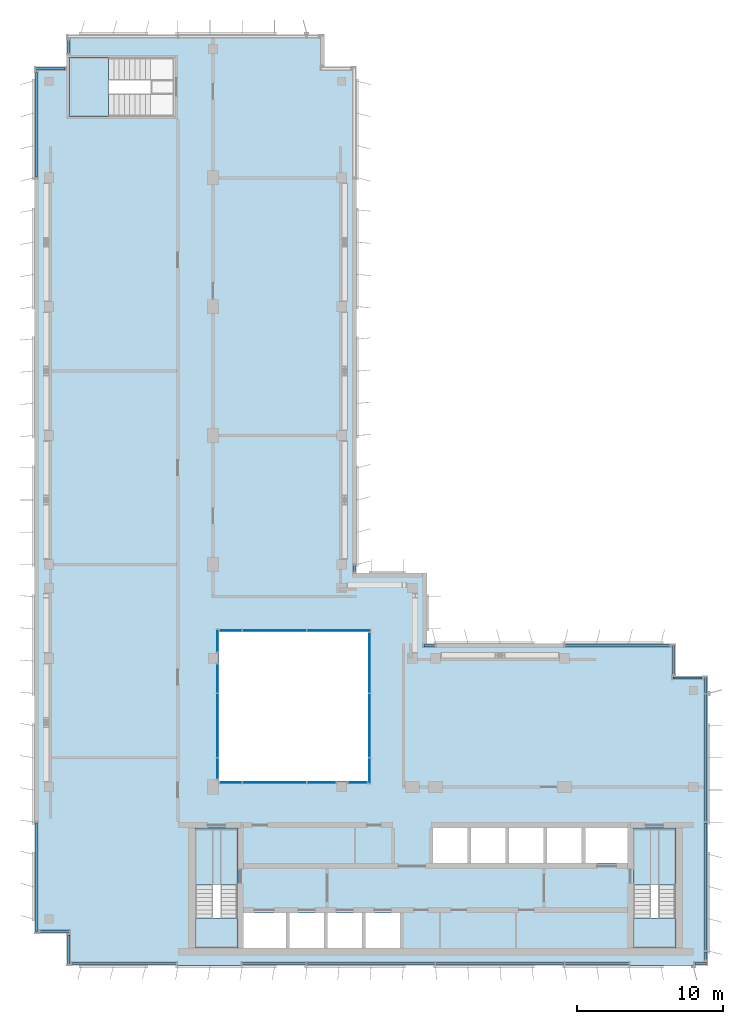
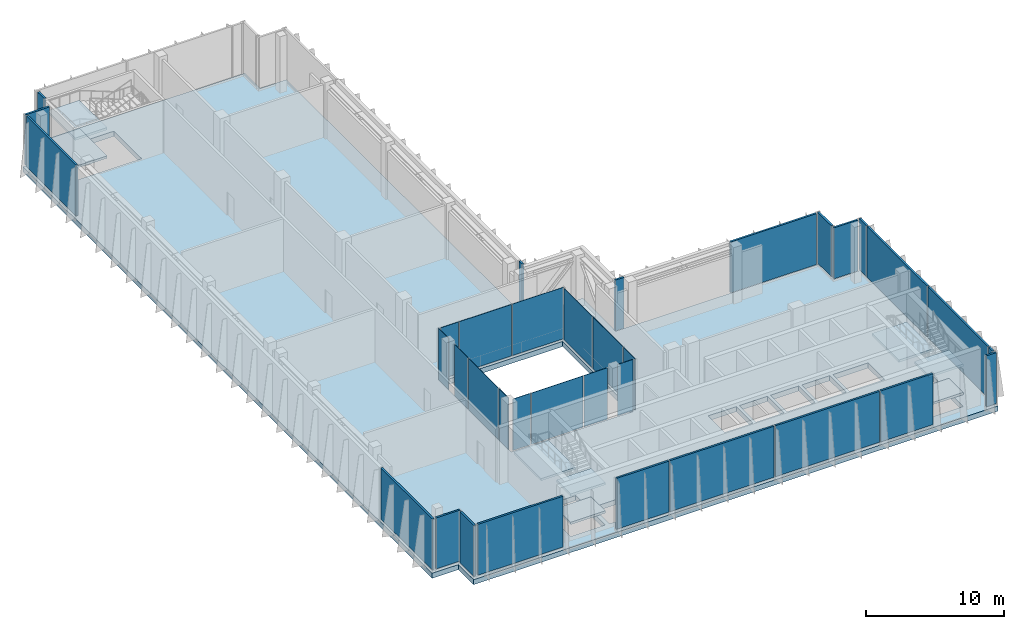
# One storey, part 7 of 14: 35 plates, 9 slabs, 24 elements without a shape of their own.
"""IFC4 building model written with IfcOpenShell, lengths in metres."""

import ifcopenshell
import ifcopenshell.guid

model = None  # the IFC model being written
_history = None  # IfcOwnerHistory: only IFC2X3 demands one
_inside = {}  # id of a spatial element -> (the spatial element, [elements in it])
_under = {}  # id of a project, library or spatial element -> (it, [spatial elements below it])
_declared = {}  # id of a project -> (the project, [libraries it declares])
_typed = {}  # id of a type object -> (the type object, [elements of that type])
_made_of = {}  # id of a material, layer set ... -> (it, [elements and type objects made of it])


def new_model(schema):
    """Start an empty IFC model of exactly this schema.

    Asked for "IFC4X3", IfcOpenShell would pick the latest addendum, in which some entities
    have other attributes; the version numbers below select the first issue.
    IFC2X3 requires an IfcOwnerHistory on every rooted entity: one is made here for all.
    """
    global model, _history
    if schema == "IFC4X3":
        model = ifcopenshell.file(schema_version=(4, 3, 0, 0))
    else:
        model = ifcopenshell.file(schema=schema)
    _inside.clear()
    _under.clear()
    _declared.clear()
    _typed.clear()
    _made_of.clear()
    _history = None
    if model.schema == "IFC2X3":
        org = make("IfcOrganization", Name="unknown")
        user = make(
            "IfcPersonAndOrganization",
            ThePerson=make("IfcPerson", FamilyName="unknown"),
            TheOrganization=org,
        )
        app = make(
            "IfcApplication",
            ApplicationDeveloper=org,
            Version="unknown",
            ApplicationFullName="unknown",
            ApplicationIdentifier="unknown",
        )
        _history = make(
            "IfcOwnerHistory",
            OwningUser=user,
            OwningApplication=app,
            ChangeAction="ADDED",
            CreationDate=0,
        )
    return model


def make(cls, **values):
    """One entity of the class cls with the attributes given. An attribute that is None is left unset."""
    return model.create_entity(
        cls, **{name: value for name, value in values.items() if value is not None}
    )


def rooted(cls, **values):
    """An entity with a GlobalId (a new one), such as an element, a storey or a relation."""
    return make(cls, GlobalId=ifcopenshell.guid.new(), OwnerHistory=_history, **values)


def si_unit(unit_type, name, prefix=None):
    """IfcSIUnit, for example si_unit("LENGTHUNIT", "METRE", prefix="MILLI")."""
    return make("IfcSIUnit", UnitType=unit_type, Prefix=prefix, Name=name)


def assignment(units):
    """IfcUnitAssignment: the units of a project."""
    return None if units is None else make("IfcUnitAssignment", Units=units)


def point(xyz):
    """IfcCartesianPoint."""
    return None if xyz is None else make("IfcCartesianPoint", Coordinates=xyz)


def direction(xyz):
    """IfcDirection."""
    return None if xyz is None else make("IfcDirection", DirectionRatios=xyz)


def frame(location, z_axis=None, x_axis=None):
    """IfcAxis2Placement3D, a coordinate frame: its origin and axes. An axis left out is left unset."""
    return make(
        "IfcAxis2Placement3D",
        Location=point(location),
        Axis=direction(z_axis),
        RefDirection=direction(x_axis),
    )


def frame_2d(location, x_axis=None):
    """IfcAxis2Placement2D, a coordinate frame in the plane: its origin and x axis."""
    return make(
        "IfcAxis2Placement2D", Location=point(location), RefDirection=direction(x_axis)
    )


def origin():
    """The frame at (0, 0, 0) with its axes left unset."""
    return frame((0.0, 0.0, 0.0))


def origin_2d():
    """The frame at (0, 0) in the plane with its x axis left unset."""
    return frame_2d((0.0, 0.0))


def place(relative_to, where):
    """IfcLocalPlacement: puts the frame where relative to a parent placement (None: the world)."""
    return make(
        "IfcLocalPlacement", PlacementRelTo=relative_to, RelativePlacement=where
    )


def context(
    kind, dimensions, precision=None, world=None, true_north=None, identifier=None
):
    """IfcGeometricRepresentationContext, for example the 3D "Model" context."""
    return make(
        "IfcGeometricRepresentationContext",
        ContextIdentifier=identifier,
        ContextType=kind,
        CoordinateSpaceDimension=dimensions,
        Precision=precision,
        WorldCoordinateSystem=world,
        TrueNorth=true_north,
    )


def subcontext(parent, identifier, kind, view, scale=None):
    """IfcGeometricRepresentationSubContext, for example "Body" below "Model"."""
    return make(
        "IfcGeometricRepresentationSubContext",
        ContextIdentifier=identifier,
        ContextType=kind,
        ParentContext=parent,
        TargetScale=scale,
        TargetView=view,
    )


def project(units=None, contexts=None):
    """IfcProject with its units and contexts."""
    return rooted(
        "IfcProject",
        Name="project",
        RepresentationContexts=contexts,
        UnitsInContext=assignment(units),
    )


def spatial(cls, under=None, at=None, **own):
    """A site, building, storey or space (cls), placed at a placement, below another one or the project."""
    s = rooted(cls, ObjectPlacement=at, **own)
    if under is not None:
        _under.setdefault(under.id(), (under, []))[1].append(s)
    return s


def polyline(points):
    """IfcPolyline through the points."""
    return make("IfcPolyline", Points=[point(p) for p in points])


def profile(cls, at=None, kind="AREA", **sizes):
    """A parametric profile (cls). Its sizes go by their IFC names, for example OverallWidth=200.0."""
    return make(cls, ProfileType=kind, Position=at, **sizes)


def rectangle(**sizes):
    """IfcRectangleProfileDef."""
    return profile("IfcRectangleProfileDef", **sizes)


def outline(outer, holes=None, kind="AREA"):
    """IfcArbitraryClosedProfileDef: a profile drawn as a closed curve; with holes, ...WithVoids."""
    if holes is None:
        return make("IfcArbitraryClosedProfileDef", ProfileType=kind, OuterCurve=outer)
    return make(
        "IfcArbitraryProfileDefWithVoids",
        ProfileType=kind,
        OuterCurve=outer,
        InnerCurves=holes,
    )


def extrude(swept, where, along, depth):
    """IfcExtrudedAreaSolid: the profile swept, set in the frame where, extruded along a direction by depth."""
    return make(
        "IfcExtrudedAreaSolid",
        SweptArea=swept,
        Position=where,
        ExtrudedDirection=direction(along),
        Depth=depth,
    )


def shape(context_of_items, identifier, shape_type, items):
    """IfcShapeRepresentation: the items that make up one representation, for example the "Body"."""
    return make(
        "IfcShapeRepresentation",
        ContextOfItems=context_of_items,
        RepresentationIdentifier=identifier,
        RepresentationType=shape_type,
        Items=items,
    )


def source(mapping_origin, context_of_items, identifier, shape_type, items):
    """IfcRepresentationMap: a shape defined once, which mapped items show again and again."""
    return make(
        "IfcRepresentationMap",
        MappingOrigin=mapping_origin,
        MappedRepresentation=shape(context_of_items, identifier, shape_type, items),
    )


def transform(
    local_origin,
    x_axis=None,
    y_axis=None,
    z_axis=None,
    scale=None,
    scale2=None,
    scale3=None,
    uniform=True,
):
    """IfcCartesianTransformationOperator3D, or its non-uniform kind. x_axis, y_axis, z_axis: its Axis1, 2, 3."""
    if uniform:
        return make(
            "IfcCartesianTransformationOperator3D",
            Axis1=direction(x_axis),
            Axis2=direction(y_axis),
            LocalOrigin=point(local_origin),
            Scale=scale,
            Axis3=direction(z_axis),
        )
    return make(
        "IfcCartesianTransformationOperator3DnonUniform",
        Axis1=direction(x_axis),
        Axis2=direction(y_axis),
        LocalOrigin=point(local_origin),
        Scale=scale,
        Axis3=direction(z_axis),
        Scale2=scale2,
        Scale3=scale3,
    )


def mapped(mapping_source, mapping_target):
    """IfcMappedItem: shows the shape of a source again, moved by a transform."""
    return make(
        "IfcMappedItem", MappingSource=mapping_source, MappingTarget=mapping_target
    )


def material(Name=None, Category=None):
    """IfcMaterial."""
    return make("IfcMaterial", Name=Name, Category=Category)


def layer(
    of_material, thickness, ventilated=None, Name=None, Category=None, Priority=None
):
    """IfcMaterialLayer: one layer of a wall or slab, of a material (None: an air gap)."""
    return make(
        "IfcMaterialLayer",
        Material=of_material,
        LayerThickness=thickness,
        IsVentilated=ventilated,
        Name=Name,
        Category=Category,
        Priority=Priority,
    )


def layer_set(layers, Name=None):
    """IfcMaterialLayerSet."""
    return make("IfcMaterialLayerSet", MaterialLayers=layers, LayerSetName=Name)


def made_of(thing, what):
    """Note that an element or type object is made of a material, layer set ...; save() writes the relation."""
    if what is not None:
        _made_of.setdefault(what.id(), (what, []))[1].append(thing)
    return thing


def type_object(cls, material=None, **own):
    """A type object (cls), such as IfcWallType, which elements share."""
    return made_of(rooted(cls, **own), material)


def element(
    cls,
    number,
    at=None,
    inside=None,
    cuts=None,
    type_object=None,
    material=None,
    context=None,
    identifier="Body",
    shape_type=None,
    held_by="IfcProductDefinitionShape",
    body=None,
    shapes=None,
    **own,
):
    """One element of the class cls, such as IfcWall. Its Tag is "e" and its number.

    at: its placement. inside: the storey or other place that contains it. cuts: it is an
    opening in that element (IfcRelVoidsElement). A single representation is given by context,
    identifier, shape_type and body (its items); several are given by shapes. held_by: the class
    of the entity that holds the representations. save() writes the other relations.
    """
    e = rooted(cls, Tag="e%d" % number, ObjectPlacement=at, **own)
    if body is not None:
        shapes = [shape(context, identifier, shape_type, body)]
    if shapes is not None:
        e.Representation = make(held_by, Representations=shapes)
    if inside is not None:
        _inside.setdefault(inside.id(), (inside, []))[1].append(e)
    if cuts is not None:
        rooted(
            "IfcRelVoidsElement", RelatingBuildingElement=cuts, RelatedOpeningElement=e
        )
    if type_object is not None:
        _typed.setdefault(type_object.id(), (type_object, []))[1].append(e)
    return made_of(e, material)


def aggregate(whole, parts):
    """IfcRelAggregates: a whole, such as a stair, and the parts it consists of."""
    return rooted("IfcRelAggregates", RelatingObject=whole, RelatedObjects=parts)


def save(model, path):
    """Write the relations noted so far, then the file.

    IfcRelAggregates (storeys below a building ...), IfcRelContainedInSpatialStructure (elements
    in a storey), IfcRelDefinesByType, IfcRelAssociatesMaterial and IfcRelDeclares: one each for
    every whole, place, type object, material and project.
    """
    for whole, parts in _under.values():
        aggregate(whole, parts)
    for where, things in _inside.values():
        rooted(
            "IfcRelContainedInSpatialStructure",
            RelatedElements=things,
            RelatingStructure=where,
        )
    for kind, things in _typed.values():
        rooted("IfcRelDefinesByType", RelatedObjects=things, RelatingType=kind)
    for what, things in _made_of.values():
        rooted("IfcRelAssociatesMaterial", RelatedObjects=things, RelatingMaterial=what)
    for by, libraries in _declared.values():
        rooted("IfcRelDeclares", RelatingContext=by, RelatedDefinitions=libraries)
    model.write(path)


model = new_model("IFC4")

# Units and contexts
model_context = context("Model", 3, precision=1e-05, world=origin(), true_north=direction((0.0, 1.0)))
body_context = subcontext(model_context, "Body", "Model", "MODEL_VIEW")
ifc_project = project(units=[si_unit("LENGTHUNIT", "METRE"), si_unit("AREAUNIT", "SQUARE_METRE"), si_unit("VOLUMEUNIT", "CUBIC_METRE"), si_unit("PLANEANGLEUNIT", "RADIAN"), si_unit("MASSUNIT", "GRAM", prefix="KILO")], contexts=[model_context])

# Site, building, storey
site_placement = place(None, origin())
site = spatial("IfcSite", under=ifc_project, at=site_placement, CompositionType="ELEMENT")
building_placement = place(site_placement, origin())
building = spatial("IfcBuilding", under=site, at=building_placement, Name="Kemantara Hotel Tower", CompositionType="ELEMENT")
storey_placement = place(building_placement, frame((0.0, 0.0, 309.199951171875)))
storey = spatial("IfcBuildingStorey", under=building, at=storey_placement, Name="L78", CompositionType="ELEMENT", Elevation=309.199951171875)

# Slab
ifc_material_1 = material(Name="Concrete fc 40 MPa", Category="concrete")
ifc_layer_1 = layer(ifc_material_1, 0.449951171875)
ifc_layer_set_1 = layer_set([ifc_layer_1], Name="Concrete fc 40 MPa")
slab_type_1 = type_object("IfcSlabType", Name="REINFORCED DIAPHRAGM SLAB 450", PredefinedType="FLOOR", material=ifc_layer_set_1)
slab_1_placement = place(storey_placement, frame((0.0, 0.0, -0.449951171875)))
element("IfcSlab", 1, at=slab_1_placement, inside=storey, type_object=slab_type_1, Name="FLOOR SLAB L78", PredefinedType="FLOOR", context=body_context, shape_type="SweptSolid", body=[
    extrude(outline(polyline([(22.0, 26.800048828125), (22.0, 61.39990234375), (19.800048828125, 61.39990234375), (19.800048828125, 63.60009765625), (2.199951171875, 63.60009765625), (2.199951171875, 61.39990234375), (0.0, 61.39990234375), (0.0, 2.199951171875), (2.199951171875, 2.199951171875), (2.199951171875, 0.0), (46.0, 0.0), (46.0, 19.800048828125), (43.800048828125, 19.800048828125), (43.800048828125, 22.0), (26.800048828125, 22.0), (26.800048828125, 26.800048828125), (22.0, 26.800048828125)]), holes=[polyline([(17.175048828125, 3.60009765625), (17.175048828125, 1.199951171875), (14.22509765625, 1.199951171875), (14.22509765625, 3.60009765625), (17.175048828125, 3.60009765625)]), polyline([(19.77490234375, 1.199951171875), (17.425048828125, 1.199951171875), (17.425048828125, 3.60009765625), (19.77490234375, 3.60009765625), (19.77490234375, 1.199951171875)]), polyline([(22.375, 1.199951171875), (20.02490234375, 1.199951171875), (20.02490234375, 3.60009765625), (22.375, 3.60009765625), (22.375, 1.199951171875)]), polyline([(24.97509765625, 3.60009765625), (24.97509765625, 1.199951171875), (22.625, 1.199951171875), (22.625, 3.60009765625), (24.97509765625, 3.60009765625)]), polyline([(11.0, 1.199951171875), (11.0, 5.49951171875), (13.89990234375, 5.49951171875), (13.89990234375, 1.199951171875), (11.0, 1.199951171875)]), polyline([(22.800048828125, 12.60009765625), (12.60009765625, 12.60009765625), (12.60009765625, 22.800048828125), (22.800048828125, 22.800048828125), (22.800048828125, 12.60009765625)]), polyline([(2.39990234375, 58.0), (2.39990234375, 62.0), (7.949462890625, 62.0), (7.949462890625, 58.0), (2.39990234375, 58.0)]), polyline([(40.89990234375, 1.199951171875), (40.89990234375, 5.49951171875), (43.800048828125, 5.49951171875), (43.800048828125, 1.199951171875), (40.89990234375, 1.199951171875)]), polyline([(29.574951171875, 7.0), (27.22509765625, 7.0), (27.22509765625, 9.39990234375), (29.574951171875, 9.39990234375), (29.574951171875, 7.0)]), polyline([(32.175048828125, 7.0), (29.824951171875, 7.0), (29.824951171875, 9.39990234375), (32.175048828125, 9.39990234375), (32.175048828125, 7.0)]), polyline([(34.77490234375, 7.0), (32.425048828125, 7.0), (32.425048828125, 9.39990234375), (34.77490234375, 9.39990234375), (34.77490234375, 7.0)]), polyline([(37.375, 7.0), (35.02490234375, 7.0), (35.02490234375, 9.39990234375), (37.375, 9.39990234375), (37.375, 7.0)]), polyline([(40.574951171875, 7.0), (37.625, 7.0), (37.625, 9.39990234375), (40.574951171875, 9.39990234375), (40.574951171875, 7.0)])]), origin(), (0.0, 0.0, 1.0), 0.449951171875),
])

# Stair, slabs
stair_type_1 = type_object("IfcStairType", Name="Stair 1200 wide 36 risers of 139 x 280 mm", PredefinedType="HALF_TURN_STAIR", material=ifc_material_1)
stair_1_placement = place(storey_placement, origin())
stair_1 = element("IfcStair", 2, at=stair_1_placement, inside=storey, type_object=stair_type_1, Name="L78 Exit stair ST1", PredefinedType="HALF_TURN_STAIR")
ifc_layer_2 = layer(ifc_material_1, 0.199951171875)
ifc_layer_set_2 = layer_set([ifc_layer_2], Name="Concrete fc 40 MPa")
slab_type_2 = type_object("IfcSlabType", Name="Stair landing 200 mm", PredefinedType="LANDING", material=ifc_layer_set_2)
slab_2_placement = place(storey_placement, frame((0.0, 0.0, 1.050048828125)))
slab_2 = element("IfcSlab", 3, at=slab_2_placement, type_object=slab_type_2, Name="ST1 landing 1", PredefinedType="LANDING", context=body_context, shape_type="SweptSolid", body=[
    extrude(outline(polyline([(11.0, 3.260009765625), (11.0, 1.199951171875), (13.89990234375, 1.199951171875), (13.89990234375, 3.260009765625), (11.0, 3.260009765625)])), origin(), (0.0, 0.0, 1.0), 0.199951171875),
])
slab_3_placement = place(storey_placement, frame((0.0, 0.0, 2.300048828125)))
slab_3 = element("IfcSlab", 4, at=slab_3_placement, type_object=slab_type_2, Name="ST1 landing 2", PredefinedType="LANDING", context=body_context, shape_type="SweptSolid", body=[
    extrude(outline(polyline([(11.0, 9.39990234375), (11.0, 5.5), (13.89990234375, 5.5), (13.89990234375, 9.39990234375), (11.0, 9.39990234375)])), origin(), (0.0, 0.0, 1.0), 0.199951171875),
])
slab_4_placement = place(storey_placement, frame((0.0, 0.0, 3.550048828125)))
slab_4 = element("IfcSlab", 5, at=slab_4_placement, type_object=slab_type_2, Name="ST1 landing 3", PredefinedType="LANDING", context=body_context, shape_type="SweptSolid", body=[
    extrude(outline(polyline([(11.0, 3.260009765625), (11.0, 1.199951171875), (13.89990234375, 1.199951171875), (13.89990234375, 3.260009765625), (11.0, 3.260009765625)])), origin(), (0.0, 0.0, 1.0), 0.199951171875),
])
aggregate(stair_1, [slab_2, slab_3, slab_4])

stair_2_placement = place(storey_placement, origin())
stair_2 = element("IfcStair", 6, at=stair_2_placement, inside=storey, type_object=stair_type_1, Name="L78 Exit stair ST2", PredefinedType="HALF_TURN_STAIR")
slab_5_placement = place(storey_placement, frame((0.0, 0.0, 1.050048828125)))
slab_5 = element("IfcSlab", 7, at=slab_5_placement, type_object=slab_type_2, Name="ST2 landing 1", PredefinedType="LANDING", context=body_context, shape_type="SweptSolid", body=[
    extrude(outline(polyline([(40.89990234375, 3.260009765625), (40.89990234375, 1.199951171875), (43.800048828125, 1.199951171875), (43.800048828125, 3.260009765625), (40.89990234375, 3.260009765625)])), origin(), (0.0, 0.0, 1.0), 0.199951171875),
])
slab_6_placement = place(storey_placement, frame((0.0, 0.0, 2.300048828125)))
slab_6 = element("IfcSlab", 8, at=slab_6_placement, type_object=slab_type_2, Name="ST2 landing 2", PredefinedType="LANDING", context=body_context, shape_type="SweptSolid", body=[
    extrude(outline(polyline([(40.89990234375, 9.39990234375), (40.89990234375, 5.5), (43.800048828125, 5.5), (43.800048828125, 9.39990234375), (40.89990234375, 9.39990234375)])), origin(), (0.0, 0.0, 1.0), 0.199951171875),
])
slab_7_placement = place(storey_placement, frame((0.0, 0.0, 3.550048828125)))
slab_7 = element("IfcSlab", 9, at=slab_7_placement, type_object=slab_type_2, Name="ST2 landing 3", PredefinedType="LANDING", context=body_context, shape_type="SweptSolid", body=[
    extrude(outline(polyline([(40.89990234375, 3.260009765625), (40.89990234375, 1.199951171875), (43.800048828125, 1.199951171875), (43.800048828125, 3.260009765625), (40.89990234375, 3.260009765625)])), origin(), (0.0, 0.0, 1.0), 0.199951171875),
])
aggregate(stair_2, [slab_5, slab_6, slab_7])

stair_type_2 = type_object("IfcStairType", Name="Stair 1550 wide 36 risers of 139 x 360 mm", PredefinedType="HALF_TURN_STAIR", material=ifc_material_1)
stair_3_placement = place(storey_placement, origin())
stair_3 = element("IfcStair", 10, at=stair_3_placement, inside=storey, type_object=stair_type_2, Name="L78 Exit stair ST4", PredefinedType="HALF_TURN_STAIR")
slab_8_placement = place(storey_placement, frame((0.0, 0.0, 1.050048828125)))
slab_8 = element("IfcSlab", 11, at=slab_8_placement, type_object=slab_type_2, Name="ST4 landing 1", PredefinedType="LANDING", context=body_context, shape_type="SweptSolid", body=[
    extrude(outline(polyline([(5.070068359375, 62.0), (2.39990234375, 62.0), (2.39990234375, 58.0), (5.070068359375, 58.0), (5.070068359375, 62.0)])), origin(), (0.0, 0.0, 1.0), 0.199951171875),
])
slab_9_placement = place(storey_placement, frame((0.0, 0.0, 3.550048828125)))
slab_9 = element("IfcSlab", 12, at=slab_9_placement, type_object=slab_type_2, Name="ST4 landing 3", PredefinedType="LANDING", context=body_context, shape_type="SweptSolid", body=[
    extrude(outline(polyline([(5.070068359375, 62.0), (2.39990234375, 62.0), (2.39990234375, 58.0), (5.070068359375, 58.0), (5.070068359375, 62.0)])), origin(), (0.0, 0.0, 1.0), 0.199951171875),
])
aggregate(stair_3, [slab_8, slab_9])

# Curtain wall, plate
ifc_material_2 = material(Name="Aluminium 6063-T6 bronze anodised", Category="aluminium")
curtain_wall_type_1 = type_object("IfcCurtainWallType", Name="CROWN LOUVRE SCREEN WALL", PredefinedType="USERDEFINED", material=ifc_material_2)
curtain_wall_1_placement = place(storey_placement, origin())
curtain_wall_1 = element("IfcCurtainWall", 13, at=curtain_wall_1_placement, inside=storey, type_object=curtain_wall_type_1, Name="CW7 L78 CRN-R12-2", ObjectType="CROWN LOUVRE SCREEN WALL", PredefinedType="USERDEFINED")
ifc_material_3 = material(Name="Bronze anodised aluminium louvre blades 3 mm", Category="aluminium")
ifc_layer_3 = layer(ifc_material_3, 0.159912109375)
ifc_layer_set_3 = layer_set([ifc_layer_3], Name="Bronze anodised aluminium louvre blades 3 mm")
plate_type_1 = type_object("IfcPlateType", Name="CROWN LOUVRE SCREEN WALL PANEL", PredefinedType="CURTAIN_PANEL", material=ifc_layer_set_3)
shared_shape_1 = source(origin(), body_context, "Body", "SweptSolid", [
    extrude(rectangle(XDim=0.75, YDim=0.159912109375, at=origin_2d()), origin(), (0.0, 0.0, 1.0), 4.5),
])
plate_1_placement = place(storey_placement, frame((26.97509765625, 21.85009765625, 0.199951171875), z_axis=(0.0, 0.0, 1.0), x_axis=(-1.0, 0.0, 0.0)))
plate_1 = element("IfcPlate", 14, at=plate_1_placement, type_object=plate_type_1, Name="CW7 louvre panel CRN-R12-2.1", PredefinedType="CURTAIN_PANEL", context=body_context, shape_type="MappedRepresentation", body=[
    mapped(shared_shape_1, transform((0.0, 0.0, 0.0))),
])
aggregate(curtain_wall_1, [plate_1])

# Curtain wall, plates
curtain_wall_2_placement = place(storey_placement, origin())
curtain_wall_2 = element("IfcCurtainWall", 15, at=curtain_wall_2_placement, inside=storey, type_object=curtain_wall_type_1, Name="CW7 L78 CRN-R08-2", ObjectType="CROWN LOUVRE SCREEN WALL", PredefinedType="USERDEFINED")
shared_shape_2 = source(origin(), body_context, "Body", "SweptSolid", [
    extrude(rectangle(XDim=8.699951171875, YDim=0.159912109375, at=origin_2d()), origin(), (0.0, 0.0, 1.0), 4.5),
])
plate_2_placement = place(storey_placement, frame((23.0, 0.14990234375, 0.199951171875), z_axis=(0.0, 0.0, 1.0), x_axis=(1.0, 0.0, 0.0)))
plate_2 = element("IfcPlate", 16, at=plate_2_placement, type_object=plate_type_1, Name="CW7 louvre panel CRN-R08-2.2", PredefinedType="CURTAIN_PANEL", context=body_context, shape_type="MappedRepresentation", body=[
    mapped(shared_shape_2, transform((0.0, 0.0, 0.0))),
])
plate_3_placement = place(storey_placement, frame((31.800048828125, 0.14990234375, 0.199951171875), z_axis=(0.0, 0.0, 1.0), x_axis=(1.0, 0.0, 0.0)))
plate_3 = element("IfcPlate", 17, at=plate_3_placement, type_object=plate_type_1, Name="CW7 louvre panel CRN-R08-2.3", PredefinedType="CURTAIN_PANEL", context=body_context, shape_type="MappedRepresentation", body=[
    mapped(shared_shape_2, transform((0.0, 0.0, 0.0))),
])

curtain_wall_3_placement = place(storey_placement, origin())
curtain_wall_3 = element("IfcCurtainWall", 18, at=curtain_wall_3_placement, inside=storey, type_object=curtain_wall_type_1, Name="CW7 L78 CRN-R09-1", ObjectType="CROWN LOUVRE SCREEN WALL", PredefinedType="USERDEFINED")
plate_4_placement = place(storey_placement, frame((45.85009765625, 5.39990234375, 0.199951171875), z_axis=(0.0, 0.0, 1.0), x_axis=(0.0, 1.0, 0.0)))
plate_4 = element("IfcPlate", 19, at=plate_4_placement, type_object=plate_type_1, Name="CW7 louvre panel CRN-R09-1.2", PredefinedType="CURTAIN_PANEL", context=body_context, shape_type="MappedRepresentation", body=[
    mapped(shared_shape_2, transform((0.0, 0.0, 0.0))),
])
plate_5_placement = place(storey_placement, frame((45.85009765625, 14.199951171875, 0.199951171875), z_axis=(0.0, 0.0, 1.0), x_axis=(0.0, 1.0, 0.0)))
plate_5 = element("IfcPlate", 20, at=plate_5_placement, type_object=plate_type_1, Name="CW7 louvre panel CRN-R09-1.3", PredefinedType="CURTAIN_PANEL", context=body_context, shape_type="MappedRepresentation", body=[
    mapped(shared_shape_2, transform((0.0, 0.0, 0.0))),
])

# Curtain wall, plate
curtain_wall_4_placement = place(storey_placement, origin())
curtain_wall_4 = element("IfcCurtainWall", 21, at=curtain_wall_4_placement, inside=storey, type_object=curtain_wall_type_1, Name="CW7 L78 CRN-R05-2", ObjectType="CROWN LOUVRE SCREEN WALL", PredefinedType="USERDEFINED")
shared_shape_3 = source(origin(), body_context, "Body", "SweptSolid", [
    extrude(rectangle(XDim=7.449951171875, YDim=0.159912109375, at=origin_2d()), origin(), (0.0, 0.0, 1.0), 4.5),
])
plate_6_placement = place(storey_placement, frame((0.14990234375, 6.02490234375, 0.199951171875), z_axis=(0.0, 0.0, 1.0), x_axis=(0.0, -1.0, 0.0)))
plate_6 = element("IfcPlate", 22, at=plate_6_placement, type_object=plate_type_1, Name="CW7 louvre panel CRN-R05-2.1", PredefinedType="CURTAIN_PANEL", context=body_context, shape_type="MappedRepresentation", body=[
    mapped(shared_shape_3, transform((0.0, 0.0, 0.0))),
])
aggregate(curtain_wall_4, [plate_6])

curtain_wall_5_placement = place(storey_placement, origin())
curtain_wall_5 = element("IfcCurtainWall", 23, at=curtain_wall_5_placement, inside=storey, type_object=curtain_wall_type_1, Name="CW7 L78 CRN-R05-1", ObjectType="CROWN LOUVRE SCREEN WALL", PredefinedType="USERDEFINED")
shared_shape_4 = source(origin(), body_context, "Body", "SweptSolid", [
    extrude(rectangle(XDim=7.14990234375, YDim=0.159912109375, at=origin_2d()), origin(), (0.0, 0.0, 1.0), 4.5),
])
plate_7_placement = place(storey_placement, frame((0.14990234375, 57.425048828125, 0.199951171875), z_axis=(0.0, 0.0, 1.0), x_axis=(0.0, -1.0, 0.0)))
plate_7 = element("IfcPlate", 24, at=plate_7_placement, type_object=plate_type_1, Name="CW7 louvre panel CRN-R05-1.1", PredefinedType="CURTAIN_PANEL", context=body_context, shape_type="MappedRepresentation", body=[
    mapped(shared_shape_4, transform((0.0, 0.0, 0.0))),
])
aggregate(curtain_wall_5, [plate_7])

curtain_wall_6_placement = place(storey_placement, origin())
curtain_wall_6 = element("IfcCurtainWall", 25, at=curtain_wall_6_placement, inside=storey, type_object=curtain_wall_type_1, Name="CW7 L78 CRN-R12-1", ObjectType="CROWN LOUVRE SCREEN WALL", PredefinedType="USERDEFINED")
plate_8_placement = place(storey_placement, frame((39.824951171875, 21.85009765625, 0.199951171875), z_axis=(0.0, 0.0, 1.0), x_axis=(-1.0, 0.0, 0.0)))
plate_8 = element("IfcPlate", 26, at=plate_8_placement, type_object=plate_type_1, Name="CW7 louvre panel CRN-R12-1.1", PredefinedType="CURTAIN_PANEL", context=body_context, shape_type="MappedRepresentation", body=[
    mapped(shared_shape_4, transform((0.0, 0.0, 0.0))),
])
aggregate(curtain_wall_6, [plate_8])

curtain_wall_7_placement = place(storey_placement, origin())
curtain_wall_7 = element("IfcCurtainWall", 27, at=curtain_wall_7_placement, inside=storey, type_object=curtain_wall_type_1, Name="CW7 L78 CRN-R08-1", ObjectType="CROWN LOUVRE SCREEN WALL", PredefinedType="USERDEFINED")
shared_shape_5 = source(origin(), body_context, "Body", "SweptSolid", [
    extrude(rectangle(XDim=7.10009765625, YDim=0.159912109375, at=origin_2d()), origin(), (0.0, 0.0, 1.0), 4.5),
])
plate_9_placement = place(storey_placement, frame((6.14990234375, 0.14990234375, 0.199951171875), z_axis=(0.0, 0.0, 1.0), x_axis=(1.0, 0.0, 0.0)))
plate_9 = element("IfcPlate", 28, at=plate_9_placement, type_object=plate_type_1, Name="CW7 louvre panel CRN-R08-1.1", PredefinedType="CURTAIN_PANEL", context=body_context, shape_type="MappedRepresentation", body=[
    mapped(shared_shape_5, transform((0.0, 0.0, 0.0))),
])
aggregate(curtain_wall_7, [plate_9])

# Plate
shared_shape_6 = source(origin(), body_context, "Body", "SweptSolid", [
    extrude(rectangle(XDim=4.35009765625, YDim=0.159912109375, at=origin_2d()), origin(), (0.0, 0.0, 1.0), 4.5),
])
plate_10_placement = place(storey_placement, frame((16.375, 0.14990234375, 0.199951171875), z_axis=(0.0, 0.0, 1.0), x_axis=(1.0, 0.0, 0.0)))
plate_10 = element("IfcPlate", 29, at=plate_10_placement, type_object=plate_type_1, Name="CW7 louvre panel CRN-R08-2.1", PredefinedType="CURTAIN_PANEL", context=body_context, shape_type="MappedRepresentation", body=[
    mapped(shared_shape_6, transform((0.0, 0.0, 0.0))),
])

plate_11_placement = place(storey_placement, frame((38.425048828125, 0.14990234375, 0.199951171875), z_axis=(0.0, 0.0, 1.0), x_axis=(1.0, 0.0, 0.0)))
plate_11 = element("IfcPlate", 30, at=plate_11_placement, type_object=plate_type_1, Name="CW7 louvre panel CRN-R08-2.4", PredefinedType="CURTAIN_PANEL", context=body_context, shape_type="MappedRepresentation", body=[
    mapped(shared_shape_6, transform((0.0, 0.0, 0.0))),
])

aggregate(curtain_wall_2, [plate_10, plate_2, plate_3, plate_11])

# Curtain wall, plate
curtain_wall_8_placement = place(storey_placement, origin())
curtain_wall_8 = element("IfcCurtainWall", 31, at=curtain_wall_8_placement, inside=storey, type_object=curtain_wall_type_1, Name="CW7 L78 CRN-R08-3", ObjectType="CROWN LOUVRE SCREEN WALL", PredefinedType="USERDEFINED")
shared_shape_7 = source(origin(), body_context, "Body", "SweptSolid", [
    extrude(rectangle(XDim=0.800048828125, YDim=0.159912109375, at=origin_2d()), origin(), (0.0, 0.0, 1.0), 4.5),
])
plate_12_placement = place(storey_placement, frame((45.5, 0.14990234375, 0.199951171875), z_axis=(0.0, 0.0, 1.0), x_axis=(1.0, 0.0, 0.0)))
plate_12 = element("IfcPlate", 32, at=plate_12_placement, type_object=plate_type_1, Name="CW7 louvre panel CRN-R08-3.1", PredefinedType="CURTAIN_PANEL", context=body_context, shape_type="MappedRepresentation", body=[
    mapped(shared_shape_7, transform((0.0, 0.0, 0.0))),
])
aggregate(curtain_wall_8, [plate_12])

# Plate
shared_shape_8 = source(origin(), body_context, "Body", "SweptSolid", [
    extrude(rectangle(XDim=0.550048828125, YDim=0.159912109375, at=origin_2d()), origin(), (0.0, 0.0, 1.0), 4.5),
])
plate_13_placement = place(storey_placement, frame((45.85009765625, 0.675048828125, 0.199951171875), z_axis=(0.0, 0.0, 1.0), x_axis=(0.0, 1.0, 0.0)))
plate_13 = element("IfcPlate", 33, at=plate_13_placement, type_object=plate_type_1, Name="CW7 louvre panel CRN-R09-1.1", PredefinedType="CURTAIN_PANEL", context=body_context, shape_type="MappedRepresentation", body=[
    mapped(shared_shape_8, transform((0.0, 0.0, 0.0))),
])

shared_shape_9 = source(origin(), body_context, "Body", "SweptSolid", [
    extrude(rectangle(XDim=1.050048828125, YDim=0.159912109375, at=origin_2d()), origin(), (0.0, 0.0, 1.0), 4.5),
])
plate_14_placement = place(storey_placement, frame((45.85009765625, 19.175048828125, 0.199951171875), z_axis=(0.0, 0.0, 1.0), x_axis=(0.0, 1.0, 0.0)))
plate_14 = element("IfcPlate", 34, at=plate_14_placement, type_object=plate_type_1, Name="CW7 louvre panel CRN-R09-1.4", PredefinedType="CURTAIN_PANEL", context=body_context, shape_type="MappedRepresentation", body=[
    mapped(shared_shape_9, transform((0.0, 0.0, 0.0))),
])

aggregate(curtain_wall_3, [plate_13, plate_4, plate_5, plate_14])

# Curtain wall, plate
curtain_wall_9_placement = place(storey_placement, origin())
curtain_wall_9 = element("IfcCurtainWall", 35, at=curtain_wall_9_placement, inside=storey, type_object=curtain_wall_type_1, Name="CW7 L78 CRN-R15-1", ObjectType="CROWN LOUVRE SCREEN WALL", PredefinedType="USERDEFINED")
shared_shape_10 = source(origin(), body_context, "Body", "SweptSolid", [
    extrude(rectangle(XDim=0.449951171875, YDim=0.159912109375, at=origin_2d()), origin(), (0.0, 0.0, 1.0), 4.5),
])
plate_15_placement = place(storey_placement, frame((21.85009765625, 27.125, 0.199951171875), z_axis=(0.0, 0.0, 1.0), x_axis=(0.0, 1.0, 0.0)))
plate_15 = element("IfcPlate", 36, at=plate_15_placement, type_object=plate_type_1, Name="CW7 louvre panel CRN-R15-1.1", PredefinedType="CURTAIN_PANEL", context=body_context, shape_type="MappedRepresentation", body=[
    mapped(shared_shape_10, transform((0.0, 0.0, 0.0))),
])
aggregate(curtain_wall_9, [plate_15])

curtain_wall_10_placement = place(storey_placement, origin())
curtain_wall_10 = element("IfcCurtainWall", 37, at=curtain_wall_10_placement, inside=storey, type_object=curtain_wall_type_1, Name="CW7 L78 CRN-R04-1", ObjectType="CROWN LOUVRE SCREEN WALL", PredefinedType="USERDEFINED")
shared_shape_11 = source(origin(), body_context, "Body", "SweptSolid", [
    extrude(rectangle(XDim=2.0, YDim=0.159912109375, at=origin_2d()), origin(), (0.0, 0.0, 1.0), 4.5),
])
plate_16_placement = place(storey_placement, frame((1.10009765625, 61.25, 0.199951171875), z_axis=(0.0, 0.0, 1.0), x_axis=(-1.0, 0.0, 0.0)))
plate_16 = element("IfcPlate", 38, at=plate_16_placement, type_object=plate_type_1, Name="CW7 louvre panel CRN-R04-1.1", PredefinedType="CURTAIN_PANEL", context=body_context, shape_type="MappedRepresentation", body=[
    mapped(shared_shape_11, transform((0.0, 0.0, 0.0))),
])
aggregate(curtain_wall_10, [plate_16])

curtain_wall_11_placement = place(storey_placement, origin())
curtain_wall_11 = element("IfcCurtainWall", 39, at=curtain_wall_11_placement, inside=storey, type_object=curtain_wall_type_1, Name="CW7 L78 CRN-R06-1", ObjectType="CROWN LOUVRE SCREEN WALL", PredefinedType="USERDEFINED")
plate_17_placement = place(storey_placement, frame((1.39990234375, 2.35009765625, 0.199951171875), z_axis=(0.0, 0.0, 1.0), x_axis=(1.0, 0.0, 0.0)))
plate_17 = element("IfcPlate", 40, at=plate_17_placement, type_object=plate_type_1, Name="CW7 louvre panel CRN-R06-1.1", PredefinedType="CURTAIN_PANEL", context=body_context, shape_type="MappedRepresentation", body=[
    mapped(shared_shape_11, transform((0.0, 0.0, 0.0))),
])
aggregate(curtain_wall_11, [plate_17])

curtain_wall_12_placement = place(storey_placement, origin())
curtain_wall_12 = element("IfcCurtainWall", 41, at=curtain_wall_12_placement, inside=storey, type_object=curtain_wall_type_1, Name="CW7 L78 CRN-R07-1", ObjectType="CROWN LOUVRE SCREEN WALL", PredefinedType="USERDEFINED")
plate_18_placement = place(storey_placement, frame((2.35009765625, 1.10009765625, 0.199951171875), z_axis=(0.0, 0.0, 1.0), x_axis=(0.0, -1.0, 0.0)))
plate_18 = element("IfcPlate", 42, at=plate_18_placement, type_object=plate_type_1, Name="CW7 louvre panel CRN-R07-1.1", PredefinedType="CURTAIN_PANEL", context=body_context, shape_type="MappedRepresentation", body=[
    mapped(shared_shape_11, transform((0.0, 0.0, 0.0))),
])
aggregate(curtain_wall_12, [plate_18])

curtain_wall_13_placement = place(storey_placement, origin())
curtain_wall_13 = element("IfcCurtainWall", 43, at=curtain_wall_13_placement, inside=storey, type_object=curtain_wall_type_1, Name="CW7 L78 CRN-R10-1", ObjectType="CROWN LOUVRE SCREEN WALL", PredefinedType="USERDEFINED")
plate_19_placement = place(storey_placement, frame((44.60009765625, 19.64990234375, 0.199951171875), z_axis=(0.0, 0.0, 1.0), x_axis=(-1.0, 0.0, 0.0)))
plate_19 = element("IfcPlate", 44, at=plate_19_placement, type_object=plate_type_1, Name="CW7 louvre panel CRN-R10-1.1", PredefinedType="CURTAIN_PANEL", context=body_context, shape_type="MappedRepresentation", body=[
    mapped(shared_shape_11, transform((0.0, 0.0, 0.0))),
])
aggregate(curtain_wall_13, [plate_19])

curtain_wall_14_placement = place(storey_placement, origin())
curtain_wall_14 = element("IfcCurtainWall", 45, at=curtain_wall_14_placement, inside=storey, type_object=curtain_wall_type_1, Name="CW7 L78 CRN-R11-1", ObjectType="CROWN LOUVRE SCREEN WALL", PredefinedType="USERDEFINED")
plate_20_placement = place(storey_placement, frame((43.64990234375, 20.89990234375, 0.199951171875), z_axis=(0.0, 0.0, 1.0), x_axis=(0.0, 1.0, 0.0)))
plate_20 = element("IfcPlate", 46, at=plate_20_placement, type_object=plate_type_1, Name="CW7 louvre panel CRN-R11-1.1", PredefinedType="CURTAIN_PANEL", context=body_context, shape_type="MappedRepresentation", body=[
    mapped(shared_shape_11, transform((0.0, 0.0, 0.0))),
])
aggregate(curtain_wall_14, [plate_20])

curtain_wall_15_placement = place(storey_placement, origin())
curtain_wall_15 = element("IfcCurtainWall", 47, at=curtain_wall_15_placement, inside=storey, type_object=curtain_wall_type_1, Name="CW7 L78 CRN-R03-1", ObjectType="CROWN LOUVRE SCREEN WALL", PredefinedType="USERDEFINED")
shared_shape_12 = source(origin(), body_context, "Body", "SweptSolid", [
    extrude(rectangle(XDim=0.89990234375, YDim=0.159912109375, at=origin_2d()), origin(), (0.0, 0.0, 1.0), 4.5),
])
plate_21_placement = place(storey_placement, frame((2.35009765625, 62.75, 0.199951171875), z_axis=(0.0, 0.0, 1.0), x_axis=(0.0, -1.0, 0.0)))
plate_21 = element("IfcPlate", 48, at=plate_21_placement, type_object=plate_type_1, Name="CW7 louvre panel CRN-R03-1.1", PredefinedType="CURTAIN_PANEL", context=body_context, shape_type="MappedRepresentation", body=[
    mapped(shared_shape_12, transform((0.0, 0.0, 0.0))),
])
aggregate(curtain_wall_15, [plate_21])

ifc_material_4 = material(Name="Clear low-iron laminated glass 36 mm", Category="glass")
curtain_wall_type_2 = type_object("IfcCurtainWallType", Name="ATRIUM GLAZING WALL", PredefinedType="USERDEFINED", material=ifc_material_4)
curtain_wall_16_placement = place(storey_placement, origin())
curtain_wall_16 = element("IfcCurtainWall", 49, at=curtain_wall_16_placement, inside=storey, type_object=curtain_wall_type_2, Name="CW5 L78 ATR-R0-1", ObjectType="ATRIUM GLAZING WALL", PredefinedType="USERDEFINED")
ifc_layer_4 = layer(ifc_material_4, 0.035888671875)
ifc_layer_set_4 = layer_set([ifc_layer_4], Name="Clear low-iron laminated glass 36 mm")
plate_type_2 = type_object("IfcPlateType", Name="ATRIUM GLAZING WALL PANEL", PredefinedType="CURTAIN_PANEL", material=ifc_layer_set_4)
shared_shape_13 = source(origin(), body_context, "Body", "SweptSolid", [
    extrude(rectangle(XDim=1.487548828125, YDim=0.035888671875, at=origin_2d()), origin(), (0.0, 0.0, 1.0), 4.550048828125),
])
plate_22_placement = place(storey_placement, frame((13.418701171875, 22.89990234375, 0.14990234375), z_axis=(0.0, 0.0, 1.0), x_axis=(1.0, 0.0, 0.0)))
plate_22 = element("IfcPlate", 50, at=plate_22_placement, type_object=plate_type_2, Name="CW5 glass panel ATR-R0-1.1", PredefinedType="CURTAIN_PANEL", context=body_context, shape_type="MappedRepresentation", body=[
    mapped(shared_shape_13, transform((0.0, 0.0, 0.0))),
])

curtain_wall_17_placement = place(storey_placement, origin())
curtain_wall_17 = element("IfcCurtainWall", 51, at=curtain_wall_17_placement, inside=storey, type_object=curtain_wall_type_2, Name="CW5 L78 ATR-R2-2", ObjectType="ATRIUM GLAZING WALL", PredefinedType="USERDEFINED")
plate_23_placement = place(storey_placement, frame((13.418701171875, 12.5, 0.14990234375), z_axis=(0.0, 0.0, 1.0), x_axis=(-1.0, 0.0, 0.0)))
plate_23 = element("IfcPlate", 52, at=plate_23_placement, type_object=plate_type_2, Name="CW5 glass panel ATR-R2-2.3", PredefinedType="CURTAIN_PANEL", context=body_context, shape_type="MappedRepresentation", body=[
    mapped(shared_shape_13, transform((0.0, 0.0, 0.0))),
])

# Plate
shared_shape_14 = source(origin(), body_context, "Body", "SweptSolid", [
    extrude(rectangle(XDim=4.324951171875, YDim=0.035888671875, at=origin_2d()), origin(), (0.0, 0.0, 1.0), 4.550048828125),
])
plate_24_placement = place(storey_placement, frame((16.39990234375, 22.89990234375, 0.14990234375), z_axis=(0.0, 0.0, 1.0), x_axis=(1.0, 0.0, 0.0)))
plate_24 = element("IfcPlate", 53, at=plate_24_placement, type_object=plate_type_2, Name="CW5 glass panel ATR-R0-1.2", PredefinedType="CURTAIN_PANEL", context=body_context, shape_type="MappedRepresentation", body=[
    mapped(shared_shape_14, transform((0.0, 0.0, 0.0))),
])

# Curtain wall, plate
curtain_wall_18_placement = place(storey_placement, origin())
curtain_wall_18 = element("IfcCurtainWall", 54, at=curtain_wall_18_placement, inside=storey, type_object=curtain_wall_type_2, Name="CW5 L78 ATR-R1-1", ObjectType="ATRIUM GLAZING WALL", PredefinedType="USERDEFINED")
plate_25_placement = place(storey_placement, frame((22.89990234375, 16.39990234375, 0.14990234375), z_axis=(0.0, 0.0, 1.0), x_axis=(0.0, -1.0, 0.0)))
plate_25 = element("IfcPlate", 55, at=plate_25_placement, type_object=plate_type_2, Name="CW5 glass panel ATR-R1-1.2", PredefinedType="CURTAIN_PANEL", context=body_context, shape_type="MappedRepresentation", body=[
    mapped(shared_shape_14, transform((0.0, 0.0, 0.0))),
])

# Plate
plate_26_placement = place(storey_placement, frame((16.39990234375, 12.5, 0.14990234375), z_axis=(0.0, 0.0, 1.0), x_axis=(-1.0, 0.0, 0.0)))
plate_26 = element("IfcPlate", 56, at=plate_26_placement, type_object=plate_type_2, Name="CW5 glass panel ATR-R2-2.2", PredefinedType="CURTAIN_PANEL", context=body_context, shape_type="MappedRepresentation", body=[
    mapped(shared_shape_14, transform((0.0, 0.0, 0.0))),
])

# Curtain wall, plate
curtain_wall_19_placement = place(storey_placement, origin())
curtain_wall_19 = element("IfcCurtainWall", 57, at=curtain_wall_19_placement, inside=storey, type_object=curtain_wall_type_2, Name="CW5 L78 ATR-R3-1", ObjectType="ATRIUM GLAZING WALL", PredefinedType="USERDEFINED")
plate_27_placement = place(storey_placement, frame((12.5, 16.39990234375, 0.14990234375), z_axis=(0.0, 0.0, 1.0), x_axis=(0.0, 1.0, 0.0)))
plate_27 = element("IfcPlate", 58, at=plate_27_placement, type_object=plate_type_2, Name="CW5 glass panel ATR-R3-1.2", PredefinedType="CURTAIN_PANEL", context=body_context, shape_type="MappedRepresentation", body=[
    mapped(shared_shape_14, transform((0.0, 0.0, 0.0))),
])

# Plate
shared_shape_15 = source(origin(), body_context, "Body", "SweptSolid", [
    extrude(rectangle(XDim=4.28759765625, YDim=0.035888671875, at=origin_2d()), origin(), (0.0, 0.0, 1.0), 4.550048828125),
])
plate_28_placement = place(storey_placement, frame((20.78125, 22.89990234375, 0.14990234375), z_axis=(0.0, 0.0, 1.0), x_axis=(1.0, 0.0, 0.0)))
plate_28 = element("IfcPlate", 59, at=plate_28_placement, type_object=plate_type_2, Name="CW5 glass panel ATR-R0-1.3", PredefinedType="CURTAIN_PANEL", context=body_context, shape_type="MappedRepresentation", body=[
    mapped(shared_shape_15, transform((0.0, 0.0, 0.0))),
])

aggregate(curtain_wall_16, [plate_22, plate_24, plate_28])

shared_shape_16 = source(origin(), body_context, "Body", "SweptSolid", [
    extrude(rectangle(XDim=4.08740234375, YDim=0.035888671875, at=origin_2d()), origin(), (0.0, 0.0, 1.0), 4.550048828125),
])
plate_29_placement = place(storey_placement, frame((22.89990234375, 20.68115234375, 0.14990234375), z_axis=(0.0, 0.0, 1.0), x_axis=(0.0, -1.0, 0.0)))
plate_29 = element("IfcPlate", 60, at=plate_29_placement, type_object=plate_type_2, Name="CW5 glass panel ATR-R1-1.1", PredefinedType="CURTAIN_PANEL", context=body_context, shape_type="MappedRepresentation", body=[
    mapped(shared_shape_16, transform((0.0, 0.0, 0.0))),
])

shared_shape_17 = source(origin(), body_context, "Body", "SweptSolid", [
    extrude(rectangle(XDim=1.6875, YDim=0.035888671875, at=origin_2d()), origin(), (0.0, 0.0, 1.0), 4.550048828125),
])
plate_30_placement = place(storey_placement, frame((22.89990234375, 13.31884765625, 0.14990234375), z_axis=(0.0, 0.0, 1.0), x_axis=(0.0, -1.0, 0.0)))
plate_30 = element("IfcPlate", 61, at=plate_30_placement, type_object=plate_type_2, Name="CW5 glass panel ATR-R1-1.3", PredefinedType="CURTAIN_PANEL", context=body_context, shape_type="MappedRepresentation", body=[
    mapped(shared_shape_17, transform((0.0, 0.0, 0.0))),
])

aggregate(curtain_wall_18, [plate_29, plate_25, plate_30])

# Curtain wall, plate
curtain_wall_20_placement = place(storey_placement, origin())
curtain_wall_20 = element("IfcCurtainWall", 62, at=curtain_wall_20_placement, inside=storey, type_object=curtain_wall_type_2, Name="CW5 L78 ATR-R2-1", ObjectType="ATRIUM GLAZING WALL", PredefinedType="USERDEFINED")
shared_shape_18 = source(origin(), body_context, "Body", "SweptSolid", [
    extrude(rectangle(XDim=1.300048828125, YDim=0.035888671875, at=origin_2d()), origin(), (0.0, 0.0, 1.0), 4.550048828125),
])
plate_31_placement = place(storey_placement, frame((22.074951171875, 12.5, 0.14990234375), z_axis=(0.0, 0.0, 1.0), x_axis=(-1.0, 0.0, 0.0)))
plate_31 = element("IfcPlate", 63, at=plate_31_placement, type_object=plate_type_2, Name="CW5 glass panel ATR-R2-1.1", PredefinedType="CURTAIN_PANEL", context=body_context, shape_type="MappedRepresentation", body=[
    mapped(shared_shape_18, transform((0.0, 0.0, 0.0))),
])
aggregate(curtain_wall_20, [plate_31])

# Plate
shared_shape_19 = source(origin(), body_context, "Body", "SweptSolid", [
    extrude(rectangle(XDim=1.9375, YDim=0.035888671875, at=origin_2d()), origin(), (0.0, 0.0, 1.0), 4.550048828125),
])
plate_32_placement = place(storey_placement, frame((19.606201171875, 12.5, 0.14990234375), z_axis=(0.0, 0.0, 1.0), x_axis=(-1.0, 0.0, 0.0)))
plate_32 = element("IfcPlate", 64, at=plate_32_placement, type_object=plate_type_2, Name="CW5 glass panel ATR-R2-2.1", PredefinedType="CURTAIN_PANEL", context=body_context, shape_type="MappedRepresentation", body=[
    mapped(shared_shape_19, transform((0.0, 0.0, 0.0))),
])

aggregate(curtain_wall_17, [plate_32, plate_26, plate_23])

plate_33_placement = place(storey_placement, frame((12.5, 19.606201171875, 0.14990234375), z_axis=(0.0, 0.0, 1.0), x_axis=(0.0, 1.0, 0.0)))
plate_33 = element("IfcPlate", 65, at=plate_33_placement, type_object=plate_type_2, Name="CW5 glass panel ATR-R3-1.3", PredefinedType="CURTAIN_PANEL", context=body_context, shape_type="MappedRepresentation", body=[
    mapped(shared_shape_19, transform((0.0, 0.0, 0.0))),
])

shared_shape_20 = source(origin(), body_context, "Body", "SweptSolid", [
    extrude(rectangle(XDim=1.387451171875, YDim=0.035888671875, at=origin_2d()), origin(), (0.0, 0.0, 1.0), 4.550048828125),
])
plate_34_placement = place(storey_placement, frame((12.5, 13.46875, 0.14990234375), z_axis=(0.0, 0.0, 1.0), x_axis=(0.0, 1.0, 0.0)))
plate_34 = element("IfcPlate", 66, at=plate_34_placement, type_object=plate_type_2, Name="CW5 glass panel ATR-R3-1.1", PredefinedType="CURTAIN_PANEL", context=body_context, shape_type="MappedRepresentation", body=[
    mapped(shared_shape_20, transform((0.0, 0.0, 0.0))),
])

aggregate(curtain_wall_19, [plate_34, plate_27, plate_33])

# Curtain wall, plate
curtain_wall_21_placement = place(storey_placement, origin())
curtain_wall_21 = element("IfcCurtainWall", 67, at=curtain_wall_21_placement, inside=storey, type_object=curtain_wall_type_2, Name="CW5 L78 ATR-R3-2", ObjectType="ATRIUM GLAZING WALL", PredefinedType="USERDEFINED")
shared_shape_21 = source(origin(), body_context, "Body", "SweptSolid", [
    extrude(rectangle(XDim=1.5, YDim=0.035888671875, at=origin_2d()), origin(), (0.0, 0.0, 1.0), 4.550048828125),
])
plate_35_placement = place(storey_placement, frame((12.5, 22.175048828125, 0.14990234375), z_axis=(0.0, 0.0, 1.0), x_axis=(0.0, 1.0, 0.0)))
plate_35 = element("IfcPlate", 68, at=plate_35_placement, type_object=plate_type_2, Name="CW5 glass panel ATR-R3-2.1", PredefinedType="CURTAIN_PANEL", context=body_context, shape_type="MappedRepresentation", body=[
    mapped(shared_shape_21, transform((0.0, 0.0, 0.0))),
])
aggregate(curtain_wall_21, [plate_35])

save(model, "model.ifc")
